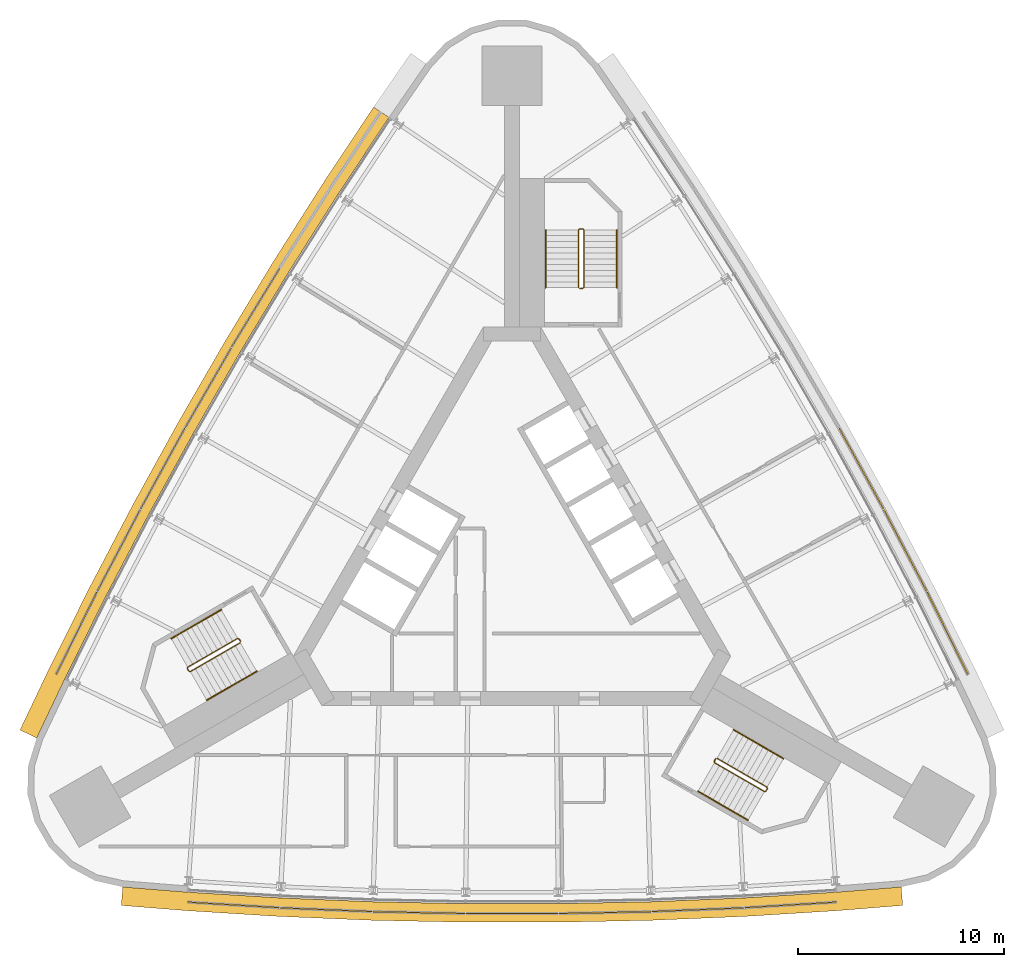
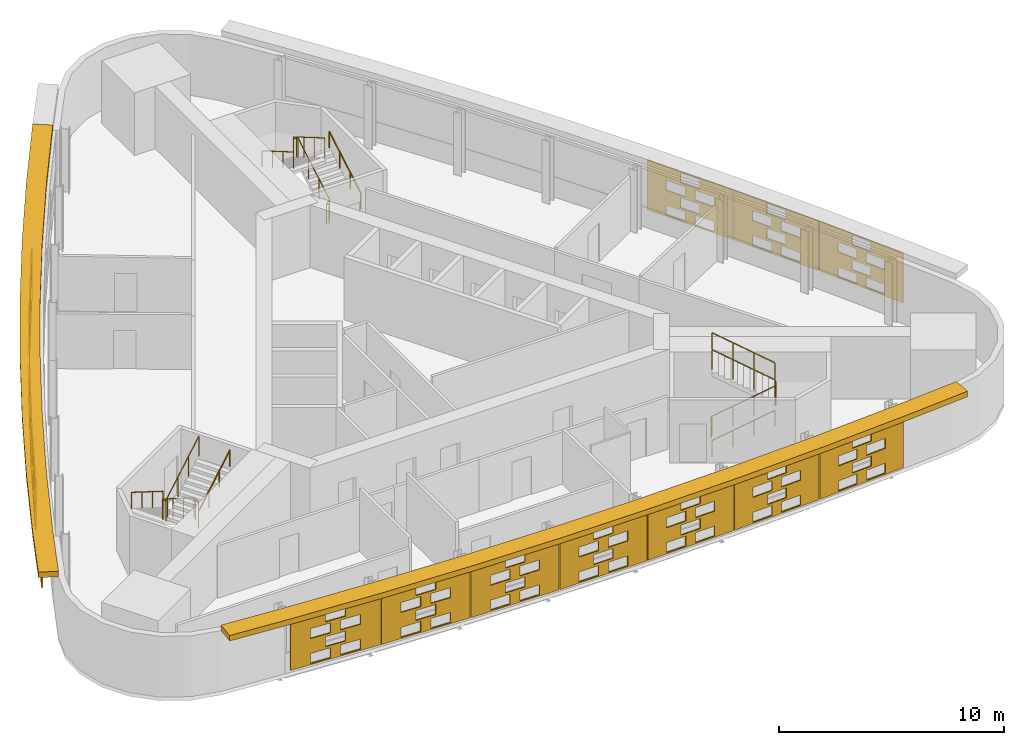
# One storey, part 11 of 12: 17 shading devices, 9 railings.
"""IFC4 building model written with IfcOpenShell, lengths in metres."""

from ifc_helpers import new_model, si_unit, direction, frame, origin, origin_2d, place, context, subcontext, project, spatial, polyline, circle, outline, extrude, material, material_profile, profile_set, type_object, element, save


model = new_model("IFC4")

# Units and contexts
model_context = context("Model", 3, precision=1e-05, world=origin(), true_north=direction((0.0, 1.0)))
body_context = subcontext(model_context, "Body", "Model", "MODEL_VIEW")
ifc_project = project(units=[si_unit("LENGTHUNIT", "METRE"), si_unit("AREAUNIT", "SQUARE_METRE"), si_unit("VOLUMEUNIT", "CUBIC_METRE"), si_unit("PLANEANGLEUNIT", "RADIAN"), si_unit("MASSUNIT", "GRAM", prefix="KILO")], contexts=[model_context])

# Site, building, storey
site_placement = place(None, origin())
site = spatial("IfcSite", under=ifc_project, at=site_placement, CompositionType="ELEMENT")
building_placement = place(site_placement, origin())
building = spatial("IfcBuilding", under=site, at=building_placement, Name="Noor Cloister Tower", CompositionType="ELEMENT")
storey_placement = place(building_placement, frame((0.0, 0.0, 154.5)))
storey = spatial("IfcBuildingStorey", under=building, at=storey_placement, Name="L39", CompositionType="ELEMENT", Elevation=154.5)

# Shading devices
ifc_material_1 = material(Name="Limestone", Category="masonry")
ifc_material_profile = material_profile(ifc_material_1, outline(polyline([(-2.22998046875, -1.35009765625), (2.22998046875, -1.35009765625), (2.22998046875, 1.35009765625), (-2.22998046875, 1.35009765625), (-2.22998046875, -1.35009765625)]), holes=[polyline([(-1.25, -1.282470703125), (-0.25, -1.282470703125), (-0.25, -0.742431640625), (-1.25, -0.742431640625), (-1.25, -1.282470703125)]), polyline([(0.25, -1.282470703125), (1.25, -1.282470703125), (1.25, -0.742431640625), (0.25, -0.742431640625), (0.25, -1.282470703125)]), polyline([(-0.5, -0.607421875), (0.5, -0.607421875), (0.5, -0.0673828125), (-0.5, -0.0673828125), (-0.5, -0.607421875)]), polyline([(-1.25, 0.0673828125), (-0.25, 0.0673828125), (-0.25, 0.607421875), (-1.25, 0.607421875), (-1.25, 0.0673828125)]), polyline([(0.25, 0.0673828125), (1.25, 0.0673828125), (1.25, 0.607421875), (0.25, 0.607421875), (0.25, 0.0673828125)]), polyline([(-0.5, 0.742431640625), (0.5, 0.742431640625), (0.5, 1.282470703125), (-0.5, 1.282470703125), (-0.5, 0.742431640625)])]), Name="Woven screen 30 percent open")
ifc_profile_set = profile_set([ifc_material_profile], Name="Limestone")
shading_device_type_1 = type_object("IfcShadingDeviceType", Name="SCREEN woven limestone 30 percent open", PredefinedType="USERDEFINED", material=ifc_profile_set)
for number, where, z_axis, x_axis, name in (
    (1, (-12.4150390625, 12.3740234375, 1.85009765625), (-0.853884327381, 0.520462828118, 0.0), (-0.520462828118, -0.853884327381, 0.0), "SCREEN L39 3"),
    (2, (-14.7099609375, 8.49267578125, 1.85009765625), (-0.865982457891, 0.500074377092, 0.0), (-0.500074377092, -0.865982457891, 0.0), "SCREEN L39 4"),
):
    element("IfcShadingDevice", number, at=place(storey_placement, frame(where, z_axis=z_axis, x_axis=x_axis)), inside=storey, type_object=shading_device_type_1, Name=name, ObjectType="SCREEN", PredefinedType="USERDEFINED", context=body_context, shape_type="SweptSolid", body=[
        extrude(outline(polyline([(-2.22998046875, -1.35009765625), (2.22998046875, -1.35009765625), (2.22998046875, 1.35009765625), (-2.22998046875, 1.35009765625), (-2.22998046875, -1.35009765625)]), holes=[polyline([(-1.25, -1.282470703125), (-0.25, -1.282470703125), (-0.25, -0.742431640625), (-1.25, -0.742431640625), (-1.25, -1.282470703125)]), polyline([(0.25, -1.282470703125), (1.25, -1.282470703125), (1.25, -0.742431640625), (0.25, -0.742431640625), (0.25, -1.282470703125)]), polyline([(-0.5, -0.607421875), (0.5, -0.607421875), (0.5, -0.0673828125), (-0.5, -0.0673828125), (-0.5, -0.607421875)]), polyline([(-1.25, 0.0673828125), (-0.25, 0.0673828125), (-0.25, 0.607421875), (-1.25, 0.607421875), (-1.25, 0.0673828125)]), polyline([(0.25, 0.0673828125), (1.25, 0.0673828125), (1.25, 0.607421875), (0.25, 0.607421875), (0.25, 0.0673828125)]), polyline([(-0.5, 0.742431640625), (0.5, 0.742431640625), (0.5, 1.282470703125), (-0.5, 1.282470703125), (-0.5, 0.742431640625)])]), origin(), (0.0, 0.0, 1.0), 0.06005859375),
    ])
for number, where, z_axis, x_axis, name in (
    (3, (-16.923828125, 4.564697265625, 1.85009765625), (-0.876645997325, 0.481135942718, 0.0), (-0.481135942718, -0.876645997325, 0.0), "SCREEN L39 5"),
    (4, (-19.055908203125, 0.591552734375, 1.85009765625), (-0.885271944608, 0.465073740486, 0.0), (-0.465073740486, -0.885271944608, 0.0), "SCREEN L39 6"),
):
    element("IfcShadingDevice", number, at=place(storey_placement, frame(where, z_axis=z_axis, x_axis=x_axis)), inside=storey, type_object=shading_device_type_1, Name=name, ObjectType="SCREEN", PredefinedType="USERDEFINED", context=body_context, shape_type="SweptSolid", body=[
        extrude(outline(polyline([(-2.22998046875, -1.35009765625), (2.22998046875, -1.35009765625), (2.22998046875, 1.35009765625), (-2.22998046875, 1.35009765625), (-2.22998046875, -1.35009765625)]), holes=[polyline([(-1.25, -1.282470703125), (-0.25, -1.282470703125), (-0.25, -0.742431640625), (-1.25, -0.742431640625), (-1.25, -1.282470703125)]), polyline([(0.25, -1.282470703125), (1.25, -1.282470703125), (1.25, -0.742431640625), (0.25, -0.742431640625), (0.25, -1.282470703125)]), polyline([(-0.5, -0.607421875), (0.5, -0.607421875), (0.5, -0.0673828125), (-0.5, -0.0673828125), (-0.5, -0.607421875)]), polyline([(-1.25, 0.0673828125), (-0.25, 0.0673828125), (-0.25, 0.607421875), (-1.25, 0.607421875), (-1.25, 0.0673828125)]), polyline([(0.25, 0.0673828125), (1.25, 0.0673828125), (1.25, 0.607421875), (0.25, 0.607421875), (0.25, 0.0673828125)]), polyline([(-0.5, 0.742431640625), (0.5, 0.742431640625), (0.5, 1.282470703125), (-0.5, 1.282470703125), (-0.5, 0.742431640625)])]), origin(), (0.0, 0.0, 1.0), 0.059814453125),
    ])
for number, where, z_axis, x_axis, name in (
    (5, (-21.10498046875, -3.4248046875, 1.85009765625), (-0.896050438544, 0.443952262733, 0.0), (-0.443952262733, -0.896050438544, 0.0), "SCREEN L39 7"),
    (6, (-13.5185546875, -16.56494140625, 1.85009765625), (-0.060862570451, -0.998146155389, 0.0), (0.998146155389, -0.060862570451, 0.0), "SCREEN L39 1"),
    (7, (-9.015625, -16.798583984375, 1.85009765625), (-0.040616861577, -0.999174794796, 0.0), (0.999174794796, -0.040616861577, 0.0), "SCREEN L39 2"),
    (8, (-4.5087890625, -16.938720703125, 1.85009765625), (-0.020321006241, -0.999793507033, 0.0), (0.999793507033, -0.020321006241, 0.0), "SCREEN L39 3"),
):
    element("IfcShadingDevice", number, at=place(storey_placement, frame(where, z_axis=z_axis, x_axis=x_axis)), inside=storey, type_object=shading_device_type_1, Name=name, ObjectType="SCREEN", PredefinedType="USERDEFINED", context=body_context, shape_type="SweptSolid", body=[
        extrude(outline(polyline([(-2.22998046875, -1.35009765625), (2.22998046875, -1.35009765625), (2.22998046875, 1.35009765625), (-2.22998046875, 1.35009765625), (-2.22998046875, -1.35009765625)]), holes=[polyline([(-1.25, -1.282470703125), (-0.25, -1.282470703125), (-0.25, -0.742431640625), (-1.25, -0.742431640625), (-1.25, -1.282470703125)]), polyline([(0.25, -1.282470703125), (1.25, -1.282470703125), (1.25, -0.742431640625), (0.25, -0.742431640625), (0.25, -1.282470703125)]), polyline([(-0.5, -0.607421875), (0.5, -0.607421875), (0.5, -0.0673828125), (-0.5, -0.0673828125), (-0.5, -0.607421875)]), polyline([(-1.25, 0.0673828125), (-0.25, 0.0673828125), (-0.25, 0.607421875), (-1.25, 0.607421875), (-1.25, 0.0673828125)]), polyline([(0.25, 0.0673828125), (1.25, 0.0673828125), (1.25, 0.607421875), (0.25, 0.607421875), (0.25, 0.0673828125)]), polyline([(-0.5, 0.742431640625), (0.5, 0.742431640625), (0.5, 1.282470703125), (-0.5, 1.282470703125), (-0.5, 0.742431640625)])]), origin(), (0.0, 0.0, 1.0), 0.06005859375),
    ])
shading_device_1_placement = place(storey_placement, frame((0.0, -16.985595703125, 1.85009765625), z_axis=(0.0, -1.0, 0.0), x_axis=(1.0, 0.0, 0.0)))
element("IfcShadingDevice", 9, at=shading_device_1_placement, inside=storey, type_object=shading_device_type_1, Name="SCREEN L39 4", ObjectType="SCREEN", PredefinedType="USERDEFINED", context=body_context, shape_type="SweptSolid", body=[
    extrude(outline(polyline([(-2.22998046875, -1.35009765625), (2.22998046875, -1.35009765625), (2.22998046875, 1.35009765625), (-2.22998046875, 1.35009765625), (-2.22998046875, -1.35009765625)]), holes=[polyline([(-1.25, -1.282470703125), (-0.25, -1.282470703125), (-0.25, -0.742431640625), (-1.25, -0.742431640625), (-1.25, -1.282470703125)]), polyline([(0.25, -1.282470703125), (1.25, -1.282470703125), (1.25, -0.742431640625), (0.25, -0.742431640625), (0.25, -1.282470703125)]), polyline([(-0.5, -0.607421875), (0.5, -0.607421875), (0.5, -0.0673828125), (-0.5, -0.0673828125), (-0.5, -0.607421875)]), polyline([(-1.25, 0.0673828125), (-0.25, 0.0673828125), (-0.25, 0.607421875), (-1.25, 0.607421875), (-1.25, 0.0673828125)]), polyline([(0.25, 0.0673828125), (1.25, 0.0673828125), (1.25, 0.607421875), (0.25, 0.607421875), (0.25, 0.0673828125)]), polyline([(-0.5, 0.742431640625), (0.5, 0.742431640625), (0.5, 1.282470703125), (-0.5, 1.282470703125), (-0.5, 0.742431640625)])]), origin(), (0.0, 0.0, 1.0), 0.059814453125),
])
for number, where, z_axis, x_axis, name in (
    (10, (4.5087890625, -16.938720703125, 1.85009765625), (0.020321006241, -0.999793507033, 0.0), (0.999793507033, 0.020321006241, 0.0), "SCREEN L39 5"),
    (11, (9.015625, -16.798583984375, 1.85009765625), (0.040616861577, -0.999174794796, 0.0), (0.999174794796, 0.040616861577, 0.0), "SCREEN L39 6"),
    (12, (13.5185546875, -16.56494140625, 1.85009765625), (0.060862570451, -0.998146155389, 0.0), (0.998146155389, 0.060862570451, 0.0), "SCREEN L39 7"),
    (13, (21.10498046875, -3.4248046875, 1.85009765625), (0.896050438544, 0.443952262733, 0.0), (-0.443952262733, 0.896050438544, 0.0), "SCREEN L39 1"),
):
    element("IfcShadingDevice", number, at=place(storey_placement, frame(where, z_axis=z_axis, x_axis=x_axis)), inside=storey, type_object=shading_device_type_1, Name=name, ObjectType="SCREEN", PredefinedType="USERDEFINED", context=body_context, shape_type="SweptSolid", body=[
        extrude(outline(polyline([(-2.22998046875, -1.35009765625), (2.22998046875, -1.35009765625), (2.22998046875, 1.35009765625), (-2.22998046875, 1.35009765625), (-2.22998046875, -1.35009765625)]), holes=[polyline([(-1.25, -1.282470703125), (-0.25, -1.282470703125), (-0.25, -0.742431640625), (-1.25, -0.742431640625), (-1.25, -1.282470703125)]), polyline([(0.25, -1.282470703125), (1.25, -1.282470703125), (1.25, -0.742431640625), (0.25, -0.742431640625), (0.25, -1.282470703125)]), polyline([(-0.5, -0.607421875), (0.5, -0.607421875), (0.5, -0.0673828125), (-0.5, -0.0673828125), (-0.5, -0.607421875)]), polyline([(-1.25, 0.0673828125), (-0.25, 0.0673828125), (-0.25, 0.607421875), (-1.25, 0.607421875), (-1.25, 0.0673828125)]), polyline([(0.25, 0.0673828125), (1.25, 0.0673828125), (1.25, 0.607421875), (0.25, 0.607421875), (0.25, 0.0673828125)]), polyline([(-0.5, 0.742431640625), (0.5, 0.742431640625), (0.5, 1.282470703125), (-0.5, 1.282470703125), (-0.5, 0.742431640625)])]), origin(), (0.0, 0.0, 1.0), 0.06005859375),
    ])
for number, where, z_axis, x_axis, name in (
    (14, (19.055908203125, 0.591552734375, 1.85009765625), (0.885271944608, 0.465073740486, 0.0), (-0.465073740486, 0.885271944608, 0.0), "SCREEN L39 2"),
    (15, (16.923828125, 4.564697265625, 1.85009765625), (0.876645997325, 0.481135942718, 0.0), (-0.481135942718, 0.876645997325, 0.0), "SCREEN L39 3"),
):
    element("IfcShadingDevice", number, at=place(storey_placement, frame(where, z_axis=z_axis, x_axis=x_axis)), inside=storey, type_object=shading_device_type_1, Name=name, ObjectType="SCREEN", PredefinedType="USERDEFINED", context=body_context, shape_type="SweptSolid", body=[
        extrude(outline(polyline([(-2.22998046875, -1.35009765625), (2.22998046875, -1.35009765625), (2.22998046875, 1.35009765625), (-2.22998046875, 1.35009765625), (-2.22998046875, -1.35009765625)]), holes=[polyline([(-1.25, -1.282470703125), (-0.25, -1.282470703125), (-0.25, -0.742431640625), (-1.25, -0.742431640625), (-1.25, -1.282470703125)]), polyline([(0.25, -1.282470703125), (1.25, -1.282470703125), (1.25, -0.742431640625), (0.25, -0.742431640625), (0.25, -1.282470703125)]), polyline([(-0.5, -0.607421875), (0.5, -0.607421875), (0.5, -0.0673828125), (-0.5, -0.0673828125), (-0.5, -0.607421875)]), polyline([(-1.25, 0.0673828125), (-0.25, 0.0673828125), (-0.25, 0.607421875), (-1.25, 0.607421875), (-1.25, 0.0673828125)]), polyline([(0.25, 0.0673828125), (1.25, 0.0673828125), (1.25, 0.607421875), (0.25, 0.607421875), (0.25, 0.0673828125)]), polyline([(-0.5, 0.742431640625), (0.5, 0.742431640625), (0.5, 1.282470703125), (-0.5, 1.282470703125), (-0.5, 0.742431640625)])]), origin(), (0.0, 0.0, 1.0), 0.059814453125),
    ])
ifc_material_2 = material(Name="Limestone", Category="masonry")
shading_device_type_2 = type_object("IfcShadingDeviceType", Name="SUNSHADE limestone band 900", PredefinedType="USERDEFINED", material=ifc_material_2)
shading_device_2_placement = place(storey_placement, frame((0.0, 0.0, 3.300048828125)))
element("IfcShadingDevice", 16, at=shading_device_2_placement, inside=storey, type_object=shading_device_type_2, Name="SUNSHADE L39 1", ObjectType="SUNSHADE", PredefinedType="USERDEFINED", context=body_context, shape_type="SweptSolid", body=[
    extrude(outline(polyline([(-6.717529296875, 22.113525390625), (-9.21044921875, 18.356201171875), (-11.630126953125, 14.539794921875), (-13.969970703125, 10.67431640625), (-16.229248046875, 6.76123046875), (-18.406982421875, 2.802001953125), (-20.502197265625, -1.201416015625), (-22.51318359375, -5.246337890625), (-23.87353515625, -8.10791015625), (-23.060791015625, -8.494384765625), (-21.703857421875, -5.639892578125), (-19.700439453125, -1.610595703125), (-17.61376953125, 2.37646484375), (-15.445068359375, 6.3193359375), (-13.195068359375, 10.21630859375), (-10.864990234375, 14.06591796875), (-8.455322265625, 17.8662109375), (-5.967529296875, 21.615966796875), (-6.717529296875, 22.113525390625)])), origin(), (0.0, 0.0, 1.0), 0.300048828125),
])
shading_device_3_placement = place(storey_placement, frame((0.0, 0.0, 3.300048828125)))
element("IfcShadingDevice", 17, at=shading_device_3_placement, inside=storey, type_object=shading_device_type_2, Name="SUNSHADE L39 2", ObjectType="SUNSHADE", PredefinedType="USERDEFINED", context=body_context, shape_type="SweptSolid", body=[
    extrude(outline(polyline([(-18.95849609375, -16.62109375), (-15.800048828125, -16.873779296875), (-11.29150390625, -17.154541015625), (-6.77685546875, -17.341796875), (-2.25927734375, -17.435546875), (2.25927734375, -17.435546875), (6.77685546875, -17.341796875), (11.29150390625, -17.154541015625), (15.800048828125, -16.873779296875), (18.95849609375, -16.62109375), (18.88671875, -15.72412109375), (15.736083984375, -15.97607421875), (11.244873046875, -16.255615234375), (6.7490234375, -16.442138671875), (2.25, -16.535400390625), (-2.25, -16.535400390625), (-6.7490234375, -16.442138671875), (-11.244873046875, -16.255615234375), (-15.736083984375, -15.97607421875), (-18.88671875, -15.72412109375), (-18.95849609375, -16.62109375)])), origin(), (0.0, 0.0, 1.0), 0.300048828125),
])

# Railings
ifc_material_3 = material(Name="Stainless steel", Category="steel")
railing_type_1 = type_object("IfcRailingType", Name="Stair guard 1100", PredefinedType="GUARDRAIL", material=ifc_material_3)
railing_1_placement = place(storey_placement, frame((3.435546875, 13.306396484375, 0.0)))
element("IfcRailing", 18, at=railing_1_placement, inside=storey, type_object=railing_type_1, Name="Stair guard ST1 L39", PredefinedType="GUARDRAIL", context=body_context, shape_type="SweptSolid", body=[
    extrude(circle(Radius=0.02392578125, at=origin_2d()), frame((0.0, 0.0, 1.076171875), z_axis=(-1.0, 0.0, 0.0), x_axis=(0.0, -1.0, 0.0)), (0.0, 0.0, 1.0), 0.14990234375),
    extrude(circle(Radius=0.02392578125, at=origin_2d()), frame((-0.14990234375, 0.0, 1.076171875), z_axis=(0.759870394187, 0.190199549216, 0.621627795), x_axis=(-0.242814311512, 0.970072785993, 0.0)), (0.0, 0.0, 1.0), 0.26318359375),
    extrude(circle(Radius=0.02392578125, at=origin_2d()), frame((0.050048828125, 0.050048828125, 1.23974609375), z_axis=(0.0, 0.863360870873, 0.504586966384), x_axis=(-1.0, 0.0, 0.0)), (0.0, 0.0, 1.0), 3.2431640625),
    extrude(circle(Radius=0.02392578125, at=origin_2d()), frame((0.050048828125, 2.85009765625, 2.8759765625), z_axis=(-0.708833529934, 0.705375805398, 0.0), x_axis=(-0.705375805398, -0.708833529934, 0.0)), (0.0, 0.0, 1.0), 0.070556640625),
    extrude(circle(Radius=0.02392578125, at=origin_2d()), frame((0.0, 2.89990234375, 2.8759765625), z_axis=(-1.0, 0.0, 0.0), x_axis=(0.0, -1.0, 0.0)), (0.0, 0.0, 1.0), 0.14990234375),
    extrude(circle(Radius=0.02392578125, at=origin_2d()), frame((-0.14990234375, 2.89990234375, 2.8759765625), z_axis=(-0.280916556609, -0.279546231943, 0.91811752648), x_axis=(0.705375805398, -0.708833529934, 0.0)), (0.0, 0.0, 1.0), 0.17822265625),
    extrude(circle(Radius=0.02392578125, at=origin_2d()), frame((-0.199951171875, 2.85009765625, 3.03955078125), z_axis=(0.0, -0.863360870873, 0.504586966384), x_axis=(1.0, 0.0, 0.0)), (0.0, 0.0, 1.0), 3.2431640625),
    extrude(circle(Radius=0.02099609375, at=origin_2d()), origin(), (0.0, 0.0, 1.0), 1.052001953125),
    extrude(circle(Radius=0.02099609375, at=origin_2d()), frame((-0.14990234375, 0.0, 0.0)), (0.0, 0.0, 1.0), 1.052001953125),
    extrude(circle(Radius=0.02099609375, at=origin_2d()), frame((0.050048828125, 0.050048828125, 0.16357421875)), (0.0, 0.0, 1.0), 1.052001953125),
    extrude(circle(Radius=0.02099609375, at=origin_2d()), frame((0.050048828125, 0.9833984375, 0.708984375)), (0.0, 0.0, 1.0), 1.052001953125),
    extrude(circle(Radius=0.02099609375, at=origin_2d()), frame((0.050048828125, 1.916748046875, 1.254638671875)), (0.0, 0.0, 1.0), 1.052001953125),
    extrude(circle(Radius=0.02099609375, at=origin_2d()), frame((0.050048828125, 2.85009765625, 1.800048828125)), (0.0, 0.0, 1.0), 1.052001953125),
    extrude(circle(Radius=0.02099609375, at=origin_2d()), frame((0.0, 2.89990234375, 1.800048828125)), (0.0, 0.0, 1.0), 1.052001953125),
    extrude(circle(Radius=0.02099609375, at=origin_2d()), frame((-0.14990234375, 2.89990234375, 1.800048828125)), (0.0, 0.0, 1.0), 1.052001953125),
    extrude(circle(Radius=0.02099609375, at=origin_2d()), frame((-0.199951171875, 2.85009765625, 1.963623046875)), (0.0, 0.0, 1.0), 1.052001953125),
    extrude(circle(Radius=0.02099609375, at=origin_2d()), frame((-0.199951171875, 1.916748046875, 2.509033203125)), (0.0, 0.0, 1.0), 1.052001953125),
    extrude(circle(Radius=0.02099609375, at=origin_2d()), frame((-0.199951171875, 0.9833984375, 3.0546875)), (0.0, 0.0, 1.0), 1.052001953125),
    extrude(circle(Radius=0.02099609375, at=origin_2d()), frame((-0.199951171875, 0.050048828125, 3.60009765625)), (0.0, 0.0, 1.0), 1.052001953125),
])
railing_2_placement = place(storey_placement, frame((-13.241455078125, -3.677734375, 0.0)))
element("IfcRailing", 19, at=railing_2_placement, inside=storey, type_object=railing_type_1, Name="Stair guard ST2 L39", PredefinedType="GUARDRAIL", context=body_context, shape_type="SweptSolid", body=[
    extrude(circle(Radius=0.02392578125, at=origin_2d()), frame((0.0, 0.0, 1.076171875), z_axis=(0.499112439033, -0.866537231285, 0.0), x_axis=(0.866537231285, 0.499112439033, 0.0)), (0.0, 0.0, 1.0), 0.150146484375),
    extrude(circle(Radius=0.02392578125, at=origin_2d()), frame((0.074951171875, -0.130126953125, 1.076171875), z_axis=(-0.544565797804, 0.563119998752, 0.621565731736), x_axis=(-0.718850276695, -0.695164929852, 0.0)), (0.0, 0.0, 1.0), 0.26318359375),
    extrude(circle(Radius=0.02392578125, at=origin_2d()), frame((-0.068359375, 0.01806640625, 1.23974609375), z_axis=(-0.747689811644, -0.431660630283, 0.504607813879), x_axis=(0.49998411664, -0.866034573852, 0.0)), (0.0, 0.0, 1.0), 3.2431640625),
    extrude(circle(Radius=0.02392578125, at=origin_2d()), frame((-2.4931640625, -1.3818359375, 2.8759765625), z_axis=(-0.258736085224, -0.965948051503, 0.0), x_axis=(0.965948051503, -0.258736085224, 0.0)), (0.0, 0.0, 1.0), 0.07080078125),
    extrude(circle(Radius=0.02392578125, at=origin_2d()), frame((-2.511474609375, -1.4501953125, 2.8759765625), z_axis=(0.499816412211, -0.866131372301, 0.0), x_axis=(0.866131372301, 0.499816412211, 0.0)), (0.0, 0.0, 1.0), 0.14990234375),
    extrude(circle(Radius=0.02392578125, at=origin_2d()), frame((-2.4365234375, -1.580078125, 2.8759765625), z_axis=(0.383552647116, -0.102737316192, 0.917786691313), x_axis=(0.258736085224, 0.965948051503, 0.0)), (0.0, 0.0, 1.0), 0.17822265625),
    extrude(circle(Radius=0.02392578125, at=origin_2d()), frame((-2.3681640625, -1.598388671875, 3.03955078125), z_axis=(0.747665513933, 0.431721881032, 0.504591415616), x_axis=(-0.500049511043, 0.865996816683, 0.0)), (0.0, 0.0, 1.0), 3.2431640625),
    extrude(circle(Radius=0.02099609375, at=origin_2d()), origin(), (0.0, 0.0, 1.0), 1.052001953125),
    extrude(circle(Radius=0.02099609375, at=origin_2d()), frame((0.074951171875, -0.130126953125, 0.0)), (0.0, 0.0, 1.0), 1.052001953125),
    extrude(circle(Radius=0.02099609375, at=origin_2d()), frame((-0.068359375, 0.01806640625, 0.16357421875)), (0.0, 0.0, 1.0), 1.052001953125),
    extrude(circle(Radius=0.02099609375, at=origin_2d()), frame((-0.876708984375, -0.448486328125, 0.708984375)), (0.0, 0.0, 1.0), 1.052001953125),
    extrude(circle(Radius=0.02099609375, at=origin_2d()), frame((-1.684814453125, -0.915283203125, 1.254638671875)), (0.0, 0.0, 1.0), 1.052001953125),
    extrude(circle(Radius=0.02099609375, at=origin_2d()), frame((-2.4931640625, -1.3818359375, 1.800048828125)), (0.0, 0.0, 1.0), 1.052001953125),
    extrude(circle(Radius=0.02099609375, at=origin_2d()), frame((-2.511474609375, -1.4501953125, 1.800048828125)), (0.0, 0.0, 1.0), 1.052001953125),
    extrude(circle(Radius=0.02099609375, at=origin_2d()), frame((-2.4365234375, -1.580078125, 1.800048828125)), (0.0, 0.0, 1.0), 1.052001953125),
    extrude(circle(Radius=0.02099609375, at=origin_2d()), frame((-2.3681640625, -1.598388671875, 1.963623046875)), (0.0, 0.0, 1.0), 1.052001953125),
    extrude(circle(Radius=0.02099609375, at=origin_2d()), frame((-1.559814453125, -1.131591796875, 2.509033203125)), (0.0, 0.0, 1.0), 1.052001953125),
    extrude(circle(Radius=0.02099609375, at=origin_2d()), frame((-0.751708984375, -0.6650390625, 3.0546875)), (0.0, 0.0, 1.0), 1.052001953125),
    extrude(circle(Radius=0.02099609375, at=origin_2d()), frame((0.056640625, -0.1982421875, 3.60009765625)), (0.0, 0.0, 1.0), 1.052001953125),
])
railing_3_placement = place(storey_placement, frame((9.805908203125, -9.628662109375, 0.0)))
element("IfcRailing", 20, at=railing_3_placement, inside=storey, type_object=railing_type_1, Name="Stair guard ST3 L39", PredefinedType="GUARDRAIL", context=body_context, shape_type="SweptSolid", body=[
    extrude(circle(Radius=0.02392578125, at=origin_2d()), frame((0.0, 0.0, 1.076171875), z_axis=(0.499112439033, 0.866537231285, 0.0), x_axis=(-0.866537231285, 0.499112439033, 0.0)), (0.0, 0.0, 1.0), 0.150146484375),
    extrude(circle(Radius=0.02392578125, at=origin_2d()), frame((0.074951171875, 0.130126953125, 1.076171875), z_axis=(-0.215214839654, -0.753251938789, 0.621525614518), x_axis=(0.961523947641, -0.274721127897, 0.0)), (0.0, 0.0, 1.0), 0.26318359375),
    extrude(circle(Radius=0.02392578125, at=origin_2d()), frame((0.018310546875, -0.068115234375, 1.23974609375), z_axis=(0.747665513933, -0.431721881032, 0.504591415616), x_axis=(0.500049511043, 0.865996816683, 0.0)), (0.0, 0.0, 1.0), 3.2431640625),
    extrude(circle(Radius=0.02392578125, at=origin_2d()), frame((2.443115234375, -1.46826171875, 2.8759765625), z_axis=(0.965948051503, 0.258736085224, 0.0), x_axis=(-0.258736085224, 0.965948051503, 0.0)), (0.0, 0.0, 1.0), 0.07080078125),
    extrude(circle(Radius=0.02392578125, at=origin_2d()), frame((2.511474609375, -1.449951171875, 2.8759765625), z_axis=(0.499816412211, 0.866131372301, 0.0), x_axis=(-0.866131372301, 0.499816412211, 0.0)), (0.0, 0.0, 1.0), 0.14990234375),
    extrude(circle(Radius=0.02392578125, at=origin_2d()), frame((2.58642578125, -1.320068359375, 2.8759765625), z_axis=(-0.102737316192, 0.383552647116, 0.917786691313), x_axis=(-0.965948051503, -0.258736085224, 0.0)), (0.0, 0.0, 1.0), 0.17822265625),
    extrude(circle(Radius=0.02392578125, at=origin_2d()), frame((2.568115234375, -1.251708984375, 3.03955078125), z_axis=(-0.747689811644, 0.431660630283, 0.504607813879), x_axis=(-0.49998411664, -0.866034573852, 0.0)), (0.0, 0.0, 1.0), 3.2431640625),
    extrude(circle(Radius=0.02099609375, at=origin_2d()), origin(), (0.0, 0.0, 1.0), 1.052001953125),
    extrude(circle(Radius=0.02099609375, at=origin_2d()), frame((0.074951171875, 0.130126953125, 0.0)), (0.0, 0.0, 1.0), 1.052001953125),
    extrude(circle(Radius=0.02099609375, at=origin_2d()), frame((0.018310546875, -0.068115234375, 0.16357421875)), (0.0, 0.0, 1.0), 1.052001953125),
    extrude(circle(Radius=0.02099609375, at=origin_2d()), frame((0.82666015625, -0.534912109375, 0.708984375)), (0.0, 0.0, 1.0), 1.052001953125),
    extrude(circle(Radius=0.02099609375, at=origin_2d()), frame((1.634765625, -1.00146484375, 1.254638671875)), (0.0, 0.0, 1.0), 1.052001953125),
    extrude(circle(Radius=0.02099609375, at=origin_2d()), frame((2.443115234375, -1.46826171875, 1.800048828125)), (0.0, 0.0, 1.0), 1.052001953125),
    extrude(circle(Radius=0.02099609375, at=origin_2d()), frame((2.511474609375, -1.449951171875, 1.800048828125)), (0.0, 0.0, 1.0), 1.052001953125),
    extrude(circle(Radius=0.02099609375, at=origin_2d()), frame((2.58642578125, -1.320068359375, 1.800048828125)), (0.0, 0.0, 1.0), 1.052001953125),
    extrude(circle(Radius=0.02099609375, at=origin_2d()), frame((2.568115234375, -1.251708984375, 1.963623046875)), (0.0, 0.0, 1.0), 1.052001953125),
    extrude(circle(Radius=0.02099609375, at=origin_2d()), frame((1.759765625, -0.78515625, 2.509033203125)), (0.0, 0.0, 1.0), 1.052001953125),
    extrude(circle(Radius=0.02099609375, at=origin_2d()), frame((0.95166015625, -0.318359375, 3.0546875)), (0.0, 0.0, 1.0), 1.052001953125),
    extrude(circle(Radius=0.02099609375, at=origin_2d()), frame((0.143310546875, 0.148193359375, 3.60009765625)), (0.0, 0.0, 1.0), 1.052001953125),
])
ifc_material_4 = material(Name="Stainless steel", Category="steel")
railing_type_2 = type_object("IfcRailingType", Name="Stair handrail 900", PredefinedType="HANDRAIL", material=ifc_material_4)
railing_4_placement = place(storey_placement, frame((5.085693359375, 13.3564453125, 0.16357421875)))
element("IfcRailing", 21, at=railing_4_placement, inside=storey, type_object=railing_type_2, Name="Stair handrail ST1 L39 1", PredefinedType="HANDRAIL", context=body_context, shape_type="SweptSolid", body=[
    extrude(circle(Radius=0.02392578125, at=origin_2d()), frame((0.0, 0.0, 0.8759765625), z_axis=(0.0, 0.863360870873, 0.504586966384), x_axis=(-1.0, 0.0, 0.0)), (0.0, 0.0, 1.0), 3.2431640625),
    extrude(circle(Radius=0.02099609375, at=origin_2d()), origin(), (0.0, 0.0, 1.0), 0.851806640625),
    extrude(circle(Radius=0.02099609375, at=origin_2d()), frame((0.0, 0.933349609375, 0.54541015625)), (0.0, 0.0, 1.0), 0.851806640625),
    extrude(circle(Radius=0.02099609375, at=origin_2d()), frame((0.0, 1.86669921875, 1.091064453125)), (0.0, 0.0, 1.0), 0.851806640625),
    extrude(circle(Radius=0.02099609375, at=origin_2d()), frame((0.0, 2.800048828125, 1.636474609375)), (0.0, 0.0, 1.0), 0.851806640625),
])
railing_5_placement = place(storey_placement, frame((1.6357421875, 16.156494140625, 1.963623046875)))
element("IfcRailing", 22, at=railing_5_placement, inside=storey, type_object=railing_type_2, Name="Stair handrail ST1 L39 2", PredefinedType="HANDRAIL", context=body_context, shape_type="SweptSolid", body=[
    extrude(circle(Radius=0.02392578125, at=origin_2d()), frame((0.0, 0.0, 0.8759765625), z_axis=(0.0, -0.863360870873, 0.504586966384), x_axis=(1.0, 0.0, 0.0)), (0.0, 0.0, 1.0), 3.2431640625),
    extrude(circle(Radius=0.02099609375, at=origin_2d()), origin(), (0.0, 0.0, 1.0), 0.851806640625),
    extrude(circle(Radius=0.02099609375, at=origin_2d()), frame((0.0, -0.933349609375, 0.54541015625)), (0.0, 0.0, 1.0), 0.851806640625),
    extrude(circle(Radius=0.02099609375, at=origin_2d()), frame((0.0, -1.86669921875, 1.091064453125)), (0.0, 0.0, 1.0), 0.851806640625),
    extrude(circle(Radius=0.02099609375, at=origin_2d()), frame((0.0, -2.800048828125, 1.636474609375)), (0.0, 0.0, 1.0), 0.851806640625),
])
railing_6_placement = place(storey_placement, frame((-14.10986328125, -2.27392578125, 0.16357421875)))
element("IfcRailing", 23, at=railing_6_placement, inside=storey, type_object=railing_type_2, Name="Stair handrail ST2 L39 1", PredefinedType="HANDRAIL", context=body_context, shape_type="SweptSolid", body=[
    extrude(circle(Radius=0.02392578125, at=origin_2d()), frame((0.0, 0.0, 0.8759765625), z_axis=(-0.747689811644, -0.431660630283, 0.504607813879), x_axis=(0.49998411664, -0.866034573852, 0.0)), (0.0, 0.0, 1.0), 3.2431640625),
    extrude(circle(Radius=0.02099609375, at=origin_2d()), origin(), (0.0, 0.0, 1.0), 0.851806640625),
    extrude(circle(Radius=0.02099609375, at=origin_2d()), frame((-0.808349609375, -0.466552734375, 0.54541015625)), (0.0, 0.0, 1.0), 0.851806640625),
    extrude(circle(Radius=0.02099609375, at=origin_2d()), frame((-1.616455078125, -0.933349609375, 1.091064453125)), (0.0, 0.0, 1.0), 0.851806640625),
    extrude(circle(Radius=0.02099609375, at=origin_2d()), frame((-2.4248046875, -1.39990234375, 1.636474609375)), (0.0, 0.0, 1.0), 0.851806640625),
])
railing_7_placement = place(storey_placement, frame((-14.8095703125, -6.66162109375, 1.963623046875)))
element("IfcRailing", 24, at=railing_7_placement, inside=storey, type_object=railing_type_2, Name="Stair handrail ST2 L39 2", PredefinedType="HANDRAIL", context=body_context, shape_type="SweptSolid", body=[
    extrude(circle(Radius=0.02392578125, at=origin_2d()), frame((0.0, 0.0, 0.8759765625), z_axis=(0.747689811644, 0.431660630283, 0.504607813879), x_axis=(-0.49998411664, 0.866034573852, 0.0)), (0.0, 0.0, 1.0), 3.2431640625),
    extrude(circle(Radius=0.02099609375, at=origin_2d()), origin(), (0.0, 0.0, 1.0), 0.851806640625),
    extrude(circle(Radius=0.02099609375, at=origin_2d()), frame((0.808349609375, 0.466552734375, 0.54541015625)), (0.0, 0.0, 1.0), 0.851806640625),
    extrude(circle(Radius=0.02099609375, at=origin_2d()), frame((1.616455078125, 0.933349609375, 1.091064453125)), (0.0, 0.0, 1.0), 0.851806640625),
    extrude(circle(Radius=0.02099609375, at=origin_2d()), frame((2.4248046875, 1.39990234375, 1.636474609375)), (0.0, 0.0, 1.0), 0.851806640625),
])
railing_8_placement = place(storey_placement, frame((9.024169921875, -11.08251953125, 0.16357421875)))
element("IfcRailing", 25, at=railing_8_placement, inside=storey, type_object=railing_type_2, Name="Stair handrail ST3 L39 1", PredefinedType="HANDRAIL", context=body_context, shape_type="SweptSolid", body=[
    extrude(circle(Radius=0.02392578125, at=origin_2d()), frame((0.0, 0.0, 0.8759765625), z_axis=(0.747689811644, -0.431660630283, 0.504607813879), x_axis=(0.49998411664, 0.866034573852, 0.0)), (0.0, 0.0, 1.0), 3.2431640625),
    extrude(circle(Radius=0.02099609375, at=origin_2d()), origin(), (0.0, 0.0, 1.0), 0.851806640625),
    extrude(circle(Radius=0.02099609375, at=origin_2d()), frame((0.808349609375, -0.466552734375, 0.54541015625)), (0.0, 0.0, 1.0), 0.851806640625),
    extrude(circle(Radius=0.02099609375, at=origin_2d()), frame((1.616455078125, -0.933349609375, 1.091064453125)), (0.0, 0.0, 1.0), 0.851806640625),
    extrude(circle(Radius=0.02099609375, at=origin_2d()), frame((2.4248046875, -1.39990234375, 1.636474609375)), (0.0, 0.0, 1.0), 0.851806640625),
])
railing_9_placement = place(storey_placement, frame((13.174072265625, -9.49462890625, 1.963623046875)))
element("IfcRailing", 26, at=railing_9_placement, inside=storey, type_object=railing_type_2, Name="Stair handrail ST3 L39 2", PredefinedType="HANDRAIL", context=body_context, shape_type="SweptSolid", body=[
    extrude(circle(Radius=0.02392578125, at=origin_2d()), frame((0.0, 0.0, 0.8759765625), z_axis=(-0.747689811644, 0.431660630283, 0.504607813879), x_axis=(-0.49998411664, -0.866034573852, 0.0)), (0.0, 0.0, 1.0), 3.2431640625),
    extrude(circle(Radius=0.02099609375, at=origin_2d()), origin(), (0.0, 0.0, 1.0), 0.851806640625),
    extrude(circle(Radius=0.02099609375, at=origin_2d()), frame((-0.808349609375, 0.466552734375, 0.54541015625)), (0.0, 0.0, 1.0), 0.851806640625),
    extrude(circle(Radius=0.02099609375, at=origin_2d()), frame((-1.616455078125, 0.933349609375, 1.091064453125)), (0.0, 0.0, 1.0), 0.851806640625),
    extrude(circle(Radius=0.02099609375, at=origin_2d()), frame((-2.4248046875, 1.39990234375, 1.636474609375)), (0.0, 0.0, 1.0), 0.851806640625),
])

save(model, "model.ifc")
